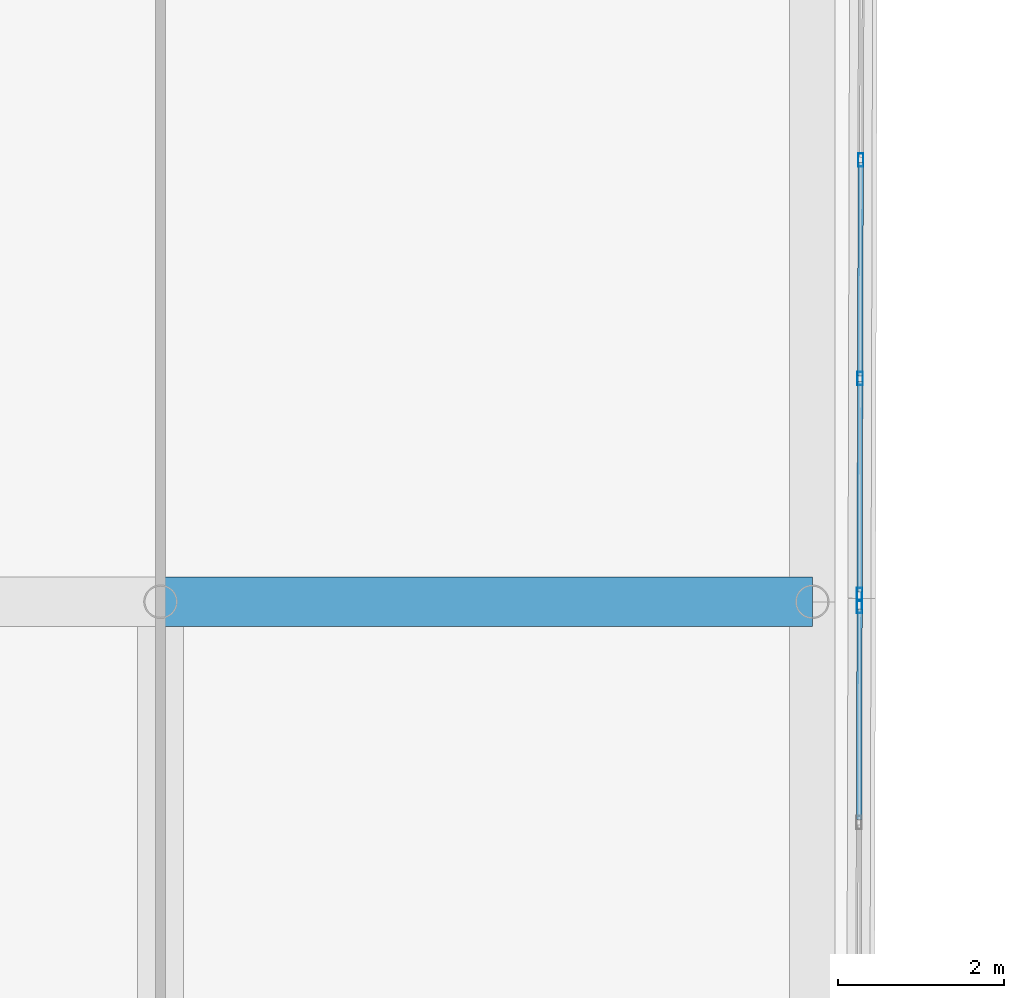
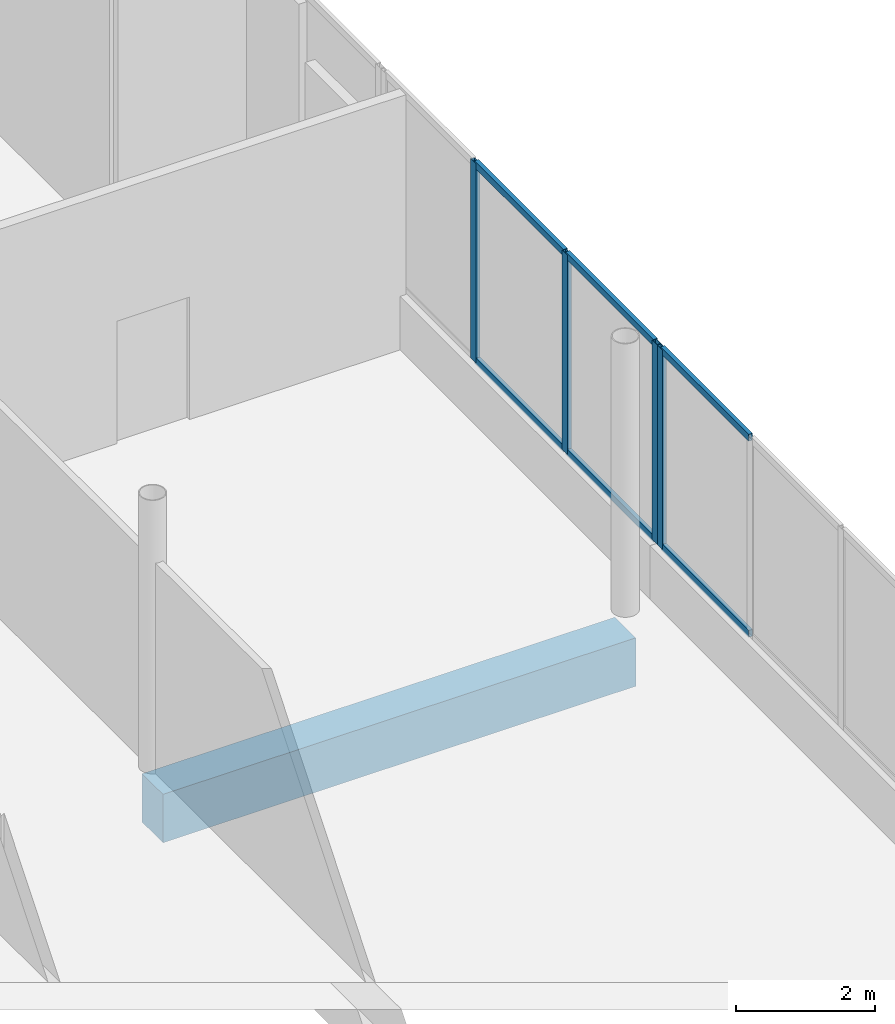
# One storey, part 59 of 168: 10 members, 1 beam, 2 elements without a shape of their own.
"""IFC4 building model written with IfcOpenShell, lengths in metres."""

from ifc_helpers import new_model, si_unit, direction, frame, origin, origin_2d, place, context, subcontext, project, spatial, rectangle, hollow_rectangle, extrude, material, material_profile, profile_set, type_object, element, aggregate, save


model = new_model("IFC4")

# Units and contexts
model_context = context("Model", 3, precision=1e-05, world=origin(), true_north=direction((0.0, 1.0)))
body_context = subcontext(model_context, "Body", "Model", "MODEL_VIEW")
ifc_project = project(units=[si_unit("LENGTHUNIT", "METRE"), si_unit("AREAUNIT", "SQUARE_METRE"), si_unit("VOLUMEUNIT", "CUBIC_METRE"), si_unit("PLANEANGLEUNIT", "RADIAN"), si_unit("MASSUNIT", "GRAM", prefix="KILO")], contexts=[model_context])

# Site, building, storey
site_placement = place(None, origin())
site = spatial("IfcSite", under=ifc_project, at=site_placement, CompositionType="ELEMENT")
building_placement = place(site_placement, origin())
building = spatial("IfcBuilding", under=site, at=building_placement, Name="Selatvlak General Hospital", CompositionType="ELEMENT")
storey_placement = place(building_placement, frame((0.0, 0.0, 5.39990234375)))
storey = spatial("IfcBuildingStorey", under=building, at=storey_placement, Name="L01", CompositionType="ELEMENT", Elevation=5.39990234375)

# Beam
ifc_material_1 = material(Name="Concrete C40/50", Category="concrete")
ifc_material_profile_1 = material_profile(ifc_material_1, rectangle(XDim=0.60009765625, YDim=0.85009765625, at=origin_2d()), Name="RC-BM 600x850")
ifc_profile_set_1 = profile_set([ifc_material_profile_1], Name="Concrete C40/50")
beam_type = type_object("IfcBeamType", Name="BM-G01", PredefinedType="BEAM", material=ifc_profile_set_1)
beam_placement = place(storey_placement, frame((73.199951171875, 68.0, -0.744873046875), z_axis=(1.0, 0.0, 0.0), x_axis=(0.0, 1.0, 0.0)))
element("IfcBeam", 1, at=beam_placement, inside=storey, type_object=beam_type, Name="Beam BMR-L01-0402", PredefinedType="BEAM", context=body_context, shape_type="SweptSolid", body=[
    extrude(rectangle(XDim=0.60009765625, YDim=0.85009765625, at=origin_2d()), origin(), (0.0, 0.0, 1.0), 7.85009765625),
])

# Curtain wall, members
ifc_material_2 = material(Name="Solar-control Low-E double glazing", Category="glass")
curtain_wall_type_1 = type_object("IfcCurtainWallType", Name="CW-CW-02", PredefinedType="USERDEFINED", material=ifc_material_2)
curtain_wall_1_placement = place(storey_placement, origin())
curtain_wall_1 = element("IfcCurtainWall", 2, at=curtain_wall_1_placement, inside=storey, type_object=curtain_wall_type_1, Name="Glazed facade curtain wall CW-L01-0227", ObjectType="UNITISED CURTAIN WALL", PredefinedType="USERDEFINED")
ifc_material_3 = material(Name="Dark anodised aluminium mullion", Category="aluminium")
ifc_material_profile_2 = material_profile(ifc_material_3, hollow_rectangle(XDim=0.06494140625, YDim=0.159912109375, WallThickness=0.00390625, at=origin_2d()), Name="AL-MUL 65x160x4")
ifc_profile_set_2 = profile_set([ifc_material_profile_2], Name="Dark anodised aluminium mullion")
member_type_1 = type_object("IfcMemberType", Name="CWM-01", PredefinedType="MULLION", material=ifc_profile_set_2)
member_1_placement = place(storey_placement, frame((81.63330078125, 73.32177734375, 0.940185546875), z_axis=(0.0, 0.0, 1.0), x_axis=(0.999996795401, -0.002531637448, 0.0)))
member_1 = element("IfcMember", 3, at=member_1_placement, type_object=member_type_1, Name="CW-02 mullion 2", PredefinedType="MULLION", context=body_context, shape_type="SweptSolid", body=[
    extrude(hollow_rectangle(XDim=0.06494140625, YDim=0.159912109375, WallThickness=0.00390625, at=origin_2d()), origin(), (0.0, 0.0, 1.0), 3.5048828125),
])
member_2_placement = place(storey_placement, frame((81.626708984375, 70.688232421875, 0.940185546875), z_axis=(0.0, 0.0, 1.0), x_axis=(0.999996795401, -0.002531637448, 0.0)))
member_2 = element("IfcMember", 4, at=member_2_placement, type_object=member_type_1, Name="CW-02 mullion 3", PredefinedType="MULLION", context=body_context, shape_type="SweptSolid", body=[
    extrude(hollow_rectangle(XDim=0.06494140625, YDim=0.159912109375, WallThickness=0.00390625, at=origin_2d()), origin(), (0.0, 0.0, 1.0), 3.5048828125),
])
member_3_placement = place(storey_placement, frame((81.6201171875, 68.08740234375, 0.940185546875), z_axis=(0.0, 0.0, 1.0), x_axis=(0.999996795401, -0.002531637448, 0.0)))
member_3 = element("IfcMember", 5, at=member_3_placement, type_object=member_type_1, Name="CW-02 mullion 4", PredefinedType="MULLION", context=body_context, shape_type="SweptSolid", body=[
    extrude(hollow_rectangle(XDim=0.06494140625, YDim=0.159912109375, WallThickness=0.00390625, at=origin_2d()), origin(), (0.0, 0.0, 1.0), 3.5048828125),
])

# Curtain wall, member
curtain_wall_type_2 = type_object("IfcCurtainWallType", Name="CW-CW-01", PredefinedType="USERDEFINED", material=ifc_material_2)
curtain_wall_2_placement = place(storey_placement, origin())
curtain_wall_2 = element("IfcCurtainWall", 6, at=curtain_wall_2_placement, inside=storey, type_object=curtain_wall_type_2, Name="Glazed facade curtain wall CW-L01-0228", ObjectType="UNITISED CURTAIN WALL", PredefinedType="USERDEFINED")
member_4_placement = place(storey_placement, frame((81.619873046875, 67.9423828125, 0.940185546875), z_axis=(0.0, 0.0, 1.0), x_axis=(0.999996795401, -0.002531637448, 0.0)))
member_4 = element("IfcMember", 7, at=member_4_placement, type_object=member_type_1, Name="CW-01 mullion 1", PredefinedType="MULLION", context=body_context, shape_type="SweptSolid", body=[
    extrude(hollow_rectangle(XDim=0.06494140625, YDim=0.159912109375, WallThickness=0.00390625, at=origin_2d()), origin(), (0.0, 0.0, 1.0), 3.5048828125),
])

# Member
ifc_material_profile_3 = material_profile(ifc_material_3, hollow_rectangle(XDim=0.06494140625, YDim=0.1201171875, WallThickness=0.00390625, at=origin_2d()), Name="AL-TRN 65x120x4")
ifc_profile_set_3 = profile_set([ifc_material_profile_3], Name="Dark anodised aluminium mullion")
member_type_2 = type_object("IfcMemberType", Name="CWT-01", PredefinedType="USERDEFINED", material=ifc_profile_set_3)
member_5_placement = place(storey_placement, frame((81.63330078125, 73.2890625, 0.97265625), z_axis=(-0.002566775459, -0.999996705826, 0.0), x_axis=(0.999996705826, -0.002566775459, 0.0)))
member_5 = element("IfcMember", 8, at=member_5_placement, type_object=member_type_2, Name="CW-02 transom 2.1", ObjectType="TRANSOM", PredefinedType="USERDEFINED", context=body_context, shape_type="SweptSolid", body=[
    extrude(hollow_rectangle(XDim=0.06494140625, YDim=0.1201171875, WallThickness=0.00390625, at=origin_2d()), origin(), (0.0, 0.0, 1.0), 2.568115234375),
])

member_6_placement = place(storey_placement, frame((81.63330078125, 73.2890625, 4.41259765625), z_axis=(-0.002566775459, -0.999996705826, 0.0), x_axis=(0.999996705826, -0.002566775459, 0.0)))
member_6 = element("IfcMember", 9, at=member_6_placement, type_object=member_type_2, Name="CW-02 transom 2.2", ObjectType="TRANSOM", PredefinedType="USERDEFINED", context=body_context, shape_type="SweptSolid", body=[
    extrude(hollow_rectangle(XDim=0.06494140625, YDim=0.1201171875, WallThickness=0.00390625, at=origin_2d()), origin(), (0.0, 0.0, 1.0), 2.568115234375),
])

member_7_placement = place(storey_placement, frame((81.62646484375, 70.65576171875, 0.97265625), z_axis=(-0.002503362077, -0.999996866584, 0.0), x_axis=(0.999996866584, -0.002503362077, 0.0)))
member_7 = element("IfcMember", 10, at=member_7_placement, type_object=member_type_2, Name="CW-02 transom 3.1", ObjectType="TRANSOM", PredefinedType="USERDEFINED", context=body_context, shape_type="SweptSolid", body=[
    extrude(hollow_rectangle(XDim=0.06494140625, YDim=0.1201171875, WallThickness=0.00390625, at=origin_2d()), origin(), (0.0, 0.0, 1.0), 2.53564453125),
])

member_8_placement = place(storey_placement, frame((81.62646484375, 70.65576171875, 4.41259765625), z_axis=(-0.002503362077, -0.999996866584, 0.0), x_axis=(0.999996866584, -0.002503362077, 0.0)))
member_8 = element("IfcMember", 11, at=member_8_placement, type_object=member_type_2, Name="CW-02 transom 3.2", ObjectType="TRANSOM", PredefinedType="USERDEFINED", context=body_context, shape_type="SweptSolid", body=[
    extrude(hollow_rectangle(XDim=0.06494140625, YDim=0.1201171875, WallThickness=0.00390625, at=origin_2d()), origin(), (0.0, 0.0, 1.0), 2.53564453125),
])

aggregate(curtain_wall_1, [member_1, member_2, member_3, member_5, member_6, member_7, member_8])

member_9_placement = place(storey_placement, frame((81.619873046875, 67.909912109375, 0.97265625), z_axis=(-0.002503362077, -0.999996866584, 0.0), x_axis=(0.999996866584, -0.002503362077, 0.0)))
member_9 = element("IfcMember", 12, at=member_9_placement, type_object=member_type_2, Name="CW-01 transom 1.1", ObjectType="TRANSOM", PredefinedType="USERDEFINED", context=body_context, shape_type="SweptSolid", body=[
    extrude(hollow_rectangle(XDim=0.06494140625, YDim=0.1201171875, WallThickness=0.00390625, at=origin_2d()), origin(), (0.0, 0.0, 1.0), 2.53564453125),
])

member_10_placement = place(storey_placement, frame((81.619873046875, 67.909912109375, 4.41259765625), z_axis=(-0.002503362077, -0.999996866584, 0.0), x_axis=(0.999996866584, -0.002503362077, 0.0)))
member_10 = element("IfcMember", 13, at=member_10_placement, type_object=member_type_2, Name="CW-01 transom 1.2", ObjectType="TRANSOM", PredefinedType="USERDEFINED", context=body_context, shape_type="SweptSolid", body=[
    extrude(hollow_rectangle(XDim=0.06494140625, YDim=0.1201171875, WallThickness=0.00390625, at=origin_2d()), origin(), (0.0, 0.0, 1.0), 2.53564453125),
])

aggregate(curtain_wall_2, [member_4, member_9, member_10])

save(model, "model.ifc")
